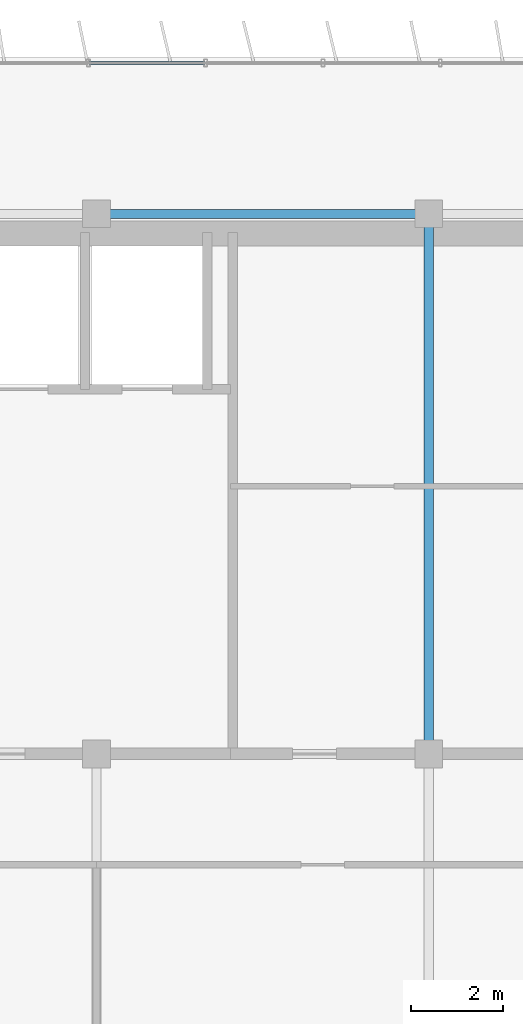
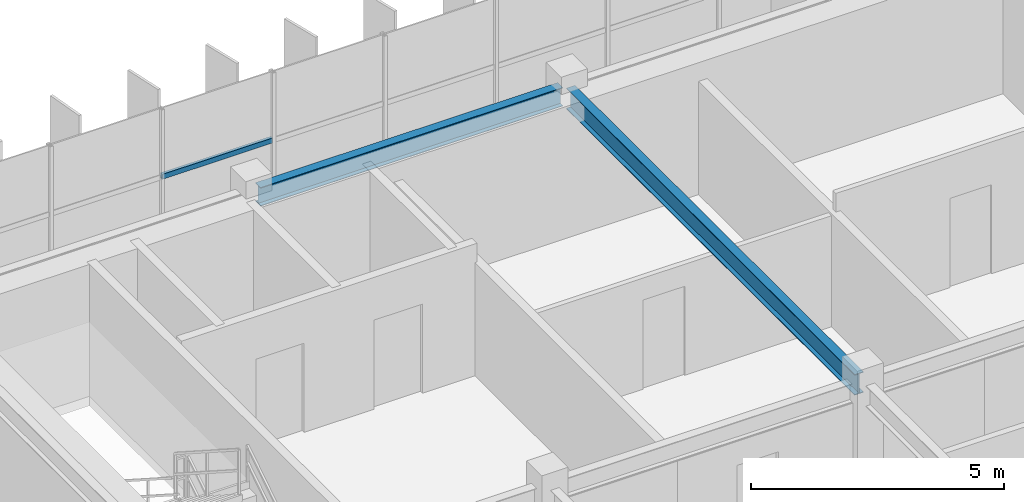
# One storey, part 11 of 26: 2 beams, 1 member, 1 element without a shape of its own.
"""IFC4 building model written with IfcOpenShell, lengths in metres."""

from ifc_helpers import new_model, si_unit, direction, frame, origin, origin_2d, place, context, subcontext, project, spatial, hollow_rectangle, i_section, extrude, source, transform, mapped, material, material_profile, profile_set, type_object, element, aggregate, save


model = new_model("IFC4")

# Units and contexts
model_context = context("Model", 3, precision=1e-05, world=origin(), true_north=direction((0.0, 1.0)))
body_context = subcontext(model_context, "Body", "Model", "MODEL_VIEW")
ifc_project = project(units=[si_unit("LENGTHUNIT", "METRE"), si_unit("AREAUNIT", "SQUARE_METRE"), si_unit("VOLUMEUNIT", "CUBIC_METRE"), si_unit("PLANEANGLEUNIT", "RADIAN"), si_unit("MASSUNIT", "GRAM", prefix="KILO")], contexts=[model_context])

# Site, building, storey
site_placement = place(None, origin())
site = spatial("IfcSite", under=ifc_project, at=site_placement, CompositionType="ELEMENT")
building_placement = place(site_placement, origin())
building = spatial("IfcBuilding", under=site, at=building_placement, Name="Trelvane Seafront Commons", CompositionType="ELEMENT")
storey_placement = place(building_placement, frame((0.0, 0.0, 291.89990234375)))
storey = spatial("IfcBuildingStorey", under=building, at=storey_placement, Name="L76", CompositionType="ELEMENT", Elevation=291.89990234375)

# Beams
ifc_material_1 = material(Name="Steel SM355 (S355)", Category="steel")
ifc_material_profile_1 = material_profile(ifc_material_1, i_section(OverallWidth=0.199951171875, OverallDepth=0.5, WebThickness=0.010009765625, FlangeThickness=0.01611328125, at=origin_2d()), Name="H-500x200x10x16")
ifc_profile_set_1 = profile_set([ifc_material_profile_1], Name="Steel SM355 (S355)")
beam_type_1 = type_object("IfcBeamType", Name="STR-BM-H500", PredefinedType="BEAM", material=ifc_profile_set_1)
shared_shape_1 = source(origin(), body_context, "Body", "SweptSolid", [
    extrude(i_section(OverallWidth=0.199951171875, OverallDepth=0.5, WebThickness=0.010009765625, FlangeThickness=0.01611328125, at=origin_2d()), origin(), (0.0, 0.0, 1.0), 11.39990234375),
])
beam_1_placement = place(storey_placement, frame((30.60009765625, 33.550048828125, 2.93017578125), z_axis=(0.0, 1.0, 0.0), x_axis=(-1.0, 0.0, 0.0)))
element("IfcBeam", 1, at=beam_1_placement, inside=storey, type_object=beam_type_1, Name="L76 Primary Girder G-40", PredefinedType="BEAM", context=body_context, shape_type="MappedRepresentation", body=[
    mapped(shared_shape_1, transform((0.0, 0.0, 0.0), x_axis=(1.0, 0.0, 0.0), y_axis=(0.0, 1.0, 0.0), z_axis=(0.0, 0.0, 1.0), scale=1.0)),
])
ifc_material_profile_2 = material_profile(ifc_material_1, i_section(OverallWidth=0.199951171875, OverallDepth=0.449951171875, WebThickness=0.009033203125, FlangeThickness=0.013916015625, at=origin_2d()), Name="H-450x200x9x14")
ifc_profile_set_2 = profile_set([ifc_material_profile_2], Name="Steel SM355 (S355)")
beam_type_2 = type_object("IfcBeamType", Name="STR-SPD-H450", PredefinedType="SPANDREL", material=ifc_profile_set_2)
shared_shape_2 = source(origin(), body_context, "Body", "SweptSolid", [
    extrude(i_section(OverallWidth=0.199951171875, OverallDepth=0.449951171875, WebThickness=0.009033203125, FlangeThickness=0.013916015625, at=origin_2d()), origin(), (0.0, 0.0, 1.0), 6.89990234375),
])
beam_2_placement = place(storey_placement, frame((23.550048828125, 45.10009765625, 2.955078125), z_axis=(1.0, 0.0, 0.0), x_axis=(0.0, 1.0, 0.0)))
element("IfcBeam", 2, at=beam_2_placement, inside=storey, type_object=beam_type_2, Name="L76 Primary Girder G-24", PredefinedType="SPANDREL", context=body_context, shape_type="MappedRepresentation", body=[
    mapped(shared_shape_2, transform((0.0, 0.0, 0.0), x_axis=(1.0, 0.0, 0.0), y_axis=(0.0, 1.0, 0.0), z_axis=(0.0, 0.0, 1.0), scale=1.0)),
])

# Curtain wall, member
ifc_material_2 = material(Name="Anodised pale-silver aluminium", Category="aluminium")
curtain_wall_type = type_object("IfcCurtainWallType", Name="ARCH-CW5-UPTOWER", PredefinedType="NOTDEFINED", material=ifc_material_2)
curtain_wall_placement = place(storey_placement, origin())
curtain_wall = element("IfcCurtainWall", 3, at=curtain_wall_placement, inside=storey, type_object=curtain_wall_type, Name="CW-L76-0120", PredefinedType="NOTDEFINED")
ifc_material_profile_3 = material_profile(ifc_material_2, hollow_rectangle(XDim=0.070068359375, YDim=0.1201171875, WallThickness=0.00390625, at=origin_2d()), Name="TRAN-70x120x4")
ifc_profile_set_3 = profile_set([ifc_material_profile_3], Name="Anodised pale-silver aluminium")
member_type = type_object("IfcMemberType", Name="ARCH-CW-TRAN-120", PredefinedType="USERDEFINED", material=ifc_profile_set_3)
shared_shape_3 = source(origin(), body_context, "Body", "SweptSolid", [
    extrude(hollow_rectangle(XDim=0.070068359375, YDim=0.1201171875, WallThickness=0.00390625, at=origin_2d()), origin(), (0.0, 0.0, 1.0), 2.51708984375),
])
member_placement = place(storey_placement, frame((23.235595703125, 48.3701171875, 1.526123046875), z_axis=(1.0, 0.0, 0.0), x_axis=(0.0, 1.0, 0.0)))
member = element("IfcMember", 4, at=member_placement, type_object=member_type, Name="CW-L76-0120-T03", ObjectType="TRANSOM", PredefinedType="USERDEFINED", context=body_context, shape_type="MappedRepresentation", body=[
    mapped(shared_shape_3, transform((0.0, 0.0, 0.0), x_axis=(1.0, 0.0, 0.0), y_axis=(0.0, 1.0, 0.0), z_axis=(0.0, 0.0, 1.0), scale=1.0)),
])
aggregate(curtain_wall, [member])

save(model, "model.ifc")
